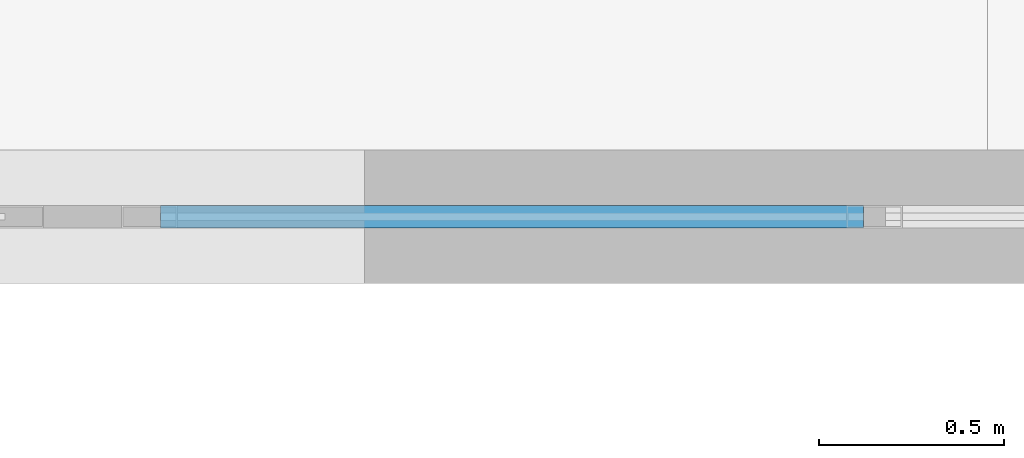
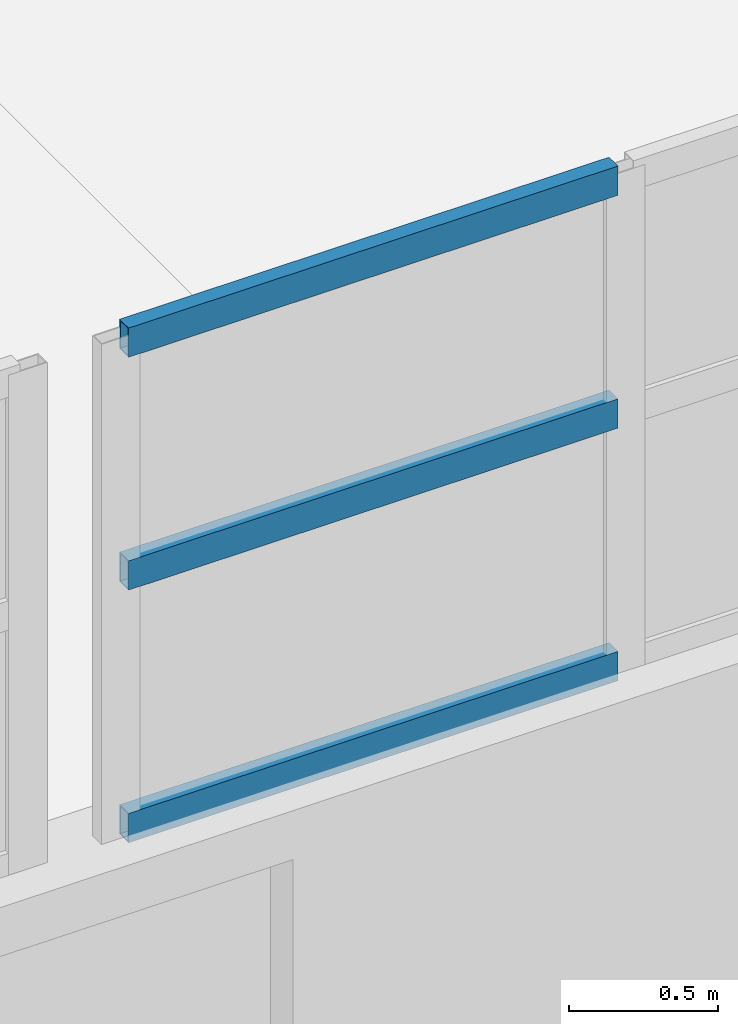
# One storey, part 72 of 139: 3 members, 1 element without a shape of its own.
"""IFC4 building model written with IfcOpenShell, lengths in metres."""

from ifc_helpers import new_model, si_unit, direction, frame, origin, origin_2d, place, context, subcontext, project, spatial, hollow_rectangle, extrude, material, material_profile, profile_set, type_object, element, aggregate, save


model = new_model("IFC4")

# Units and contexts
model_context = context("Model", 3, precision=1e-05, world=origin(), true_north=direction((0.0, 1.0)))
body_context = subcontext(model_context, "Body", "Model", "MODEL_VIEW")
ifc_project = project(units=[si_unit("LENGTHUNIT", "METRE"), si_unit("AREAUNIT", "SQUARE_METRE"), si_unit("VOLUMEUNIT", "CUBIC_METRE"), si_unit("PLANEANGLEUNIT", "RADIAN"), si_unit("MASSUNIT", "GRAM", prefix="KILO")], contexts=[model_context])

# Site, building, storey
site_placement = place(None, origin())
site = spatial("IfcSite", under=ifc_project, at=site_placement, CompositionType="ELEMENT")
building_placement = place(site_placement, origin())
building = spatial("IfcBuilding", under=site, at=building_placement, Name="Kazenagashi Tramway Depot", CompositionType="ELEMENT")
storey_placement = place(building_placement, origin())
storey = spatial("IfcBuildingStorey", under=building, at=storey_placement, Name="L01", CompositionType="ELEMENT", Elevation=0.0)

# Curtain wall, members
ifc_material_1 = material(Name="Anodised Aluminium and Low-E Glazing", Category="aluminium")
curtain_wall_type = type_object("IfcCurtainWallType", Name="CW-13", PredefinedType="USERDEFINED", material=ifc_material_1)
curtain_wall_placement = place(storey_placement, origin())
curtain_wall = element("IfcCurtainWall", 1, at=curtain_wall_placement, inside=storey, type_object=curtain_wall_type, Name="Industrial Glazed Screen CW-13 CW-0035", ObjectType="GLAZED SCREEN", PredefinedType="USERDEFINED")
ifc_material_2 = material(Name="Anodised Aluminium", Category="aluminium")
ifc_material_profile = material_profile(ifc_material_2, hollow_rectangle(XDim=0.06, YDim=0.12, WallThickness=0.004, at=origin_2d()), Name="RHS-120x60x4")
ifc_profile_set = profile_set([ifc_material_profile], Name="Anodised Aluminium")
member_type = type_object("IfcMemberType", Name="TR-01", PredefinedType="USERDEFINED", material=ifc_profile_set)
member_1_placement = place(storey_placement, frame((124.75, 70.0, 3.23), z_axis=(1.0, 0.0, 0.0), x_axis=(0.0, 1.0, 0.0)))
member_1 = element("IfcMember", 2, at=member_1_placement, type_object=member_type, Name="CW-13 transom 1.1", ObjectType="TRANSOM", PredefinedType="USERDEFINED", context=body_context, shape_type="SweptSolid", body=[
    extrude(hollow_rectangle(XDim=0.06, YDim=0.12, WallThickness=0.004, at=origin_2d()), origin(), (0.0, 0.0, 1.0), 1.895),
])
member_2_placement = place(storey_placement, frame((124.75, 70.0, 4.264), z_axis=(1.0, 0.0, 0.0), x_axis=(0.0, 1.0, 0.0)))
member_2 = element("IfcMember", 3, at=member_2_placement, type_object=member_type, Name="CW-13 transom 1.2", ObjectType="TRANSOM", PredefinedType="USERDEFINED", context=body_context, shape_type="SweptSolid", body=[
    extrude(hollow_rectangle(XDim=0.06, YDim=0.12, WallThickness=0.004, at=origin_2d()), origin(), (0.0, 0.0, 1.0), 1.895),
])
member_3_placement = place(storey_placement, frame((124.75, 70.0, 5.217), z_axis=(1.0, 0.0, 0.0), x_axis=(0.0, 1.0, 0.0)))
member_3 = element("IfcMember", 4, at=member_3_placement, type_object=member_type, Name="CW-13 transom 1.3", ObjectType="TRANSOM", PredefinedType="USERDEFINED", context=body_context, shape_type="SweptSolid", body=[
    extrude(hollow_rectangle(XDim=0.06, YDim=0.12, WallThickness=0.004, at=origin_2d()), origin(), (0.0, 0.0, 1.0), 1.895),
])
aggregate(curtain_wall, [member_1, member_2, member_3])

save(model, "model.ifc")
